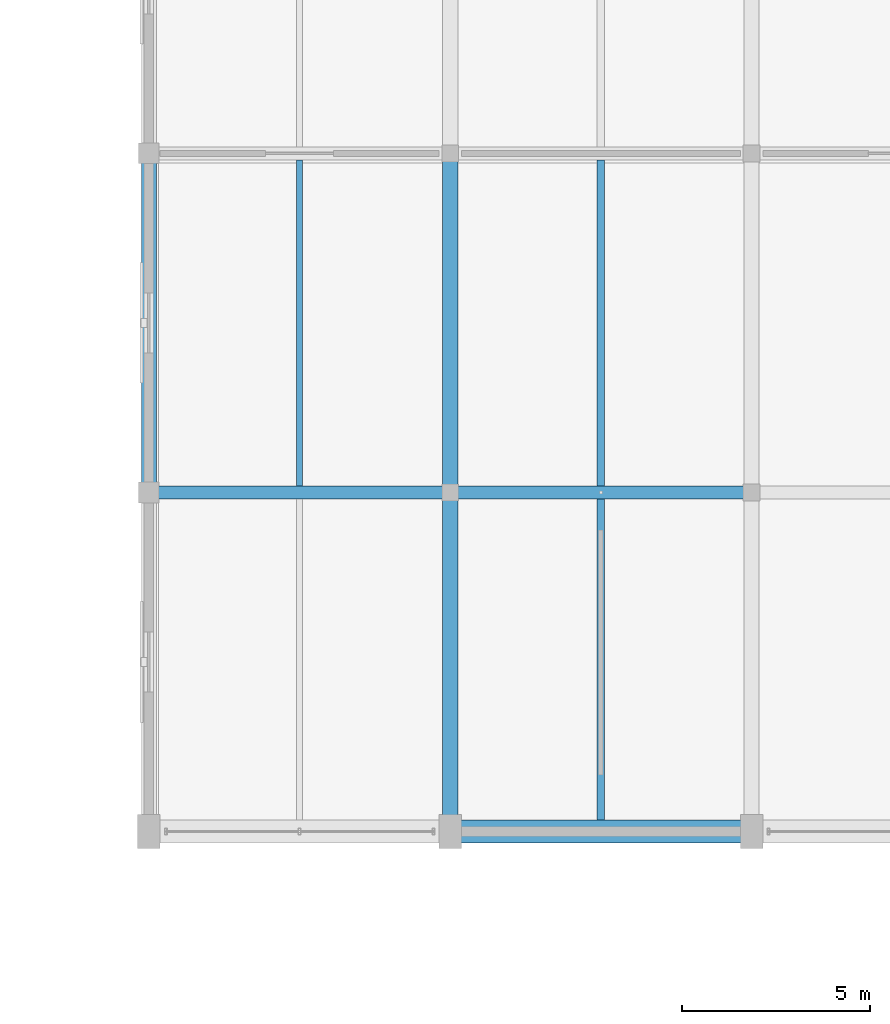
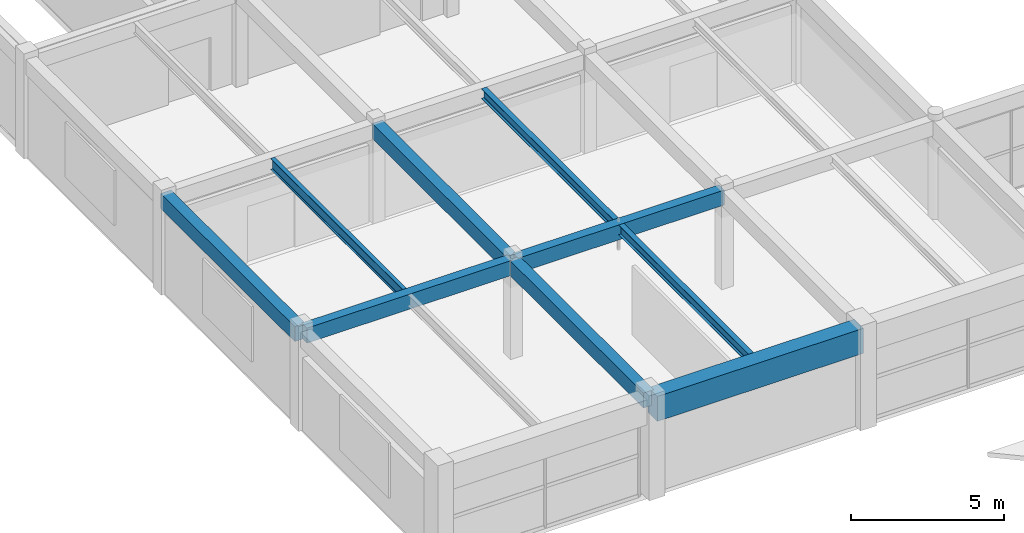
# One storey, part 40 of 126: 9 beams.
"""IFC4 building model written with IfcOpenShell, lengths in metres."""

import ifcopenshell
import ifcopenshell.guid

model = None  # the IFC model being written
_history = None  # IfcOwnerHistory: only IFC2X3 demands one
_inside = {}  # id of a spatial element -> (the spatial element, [elements in it])
_under = {}  # id of a project, library or spatial element -> (it, [spatial elements below it])
_declared = {}  # id of a project -> (the project, [libraries it declares])
_typed = {}  # id of a type object -> (the type object, [elements of that type])
_made_of = {}  # id of a material, layer set ... -> (it, [elements and type objects made of it])


def new_model(schema):
    """Start an empty IFC model of exactly this schema.

    Asked for "IFC4X3", IfcOpenShell would pick the latest addendum, in which some entities
    have other attributes; the version numbers below select the first issue.
    IFC2X3 requires an IfcOwnerHistory on every rooted entity: one is made here for all.
    """
    global model, _history
    if schema == "IFC4X3":
        model = ifcopenshell.file(schema_version=(4, 3, 0, 0))
    else:
        model = ifcopenshell.file(schema=schema)
    _inside.clear()
    _under.clear()
    _declared.clear()
    _typed.clear()
    _made_of.clear()
    _history = None
    if model.schema == "IFC2X3":
        org = make("IfcOrganization", Name="unknown")
        user = make(
            "IfcPersonAndOrganization",
            ThePerson=make("IfcPerson", FamilyName="unknown"),
            TheOrganization=org,
        )
        app = make(
            "IfcApplication",
            ApplicationDeveloper=org,
            Version="unknown",
            ApplicationFullName="unknown",
            ApplicationIdentifier="unknown",
        )
        _history = make(
            "IfcOwnerHistory",
            OwningUser=user,
            OwningApplication=app,
            ChangeAction="ADDED",
            CreationDate=0,
        )
    return model


def make(cls, **values):
    """One entity of the class cls with the attributes given. An attribute that is None is left unset."""
    return model.create_entity(
        cls, **{name: value for name, value in values.items() if value is not None}
    )


def rooted(cls, **values):
    """An entity with a GlobalId (a new one), such as an element, a storey or a relation."""
    return make(cls, GlobalId=ifcopenshell.guid.new(), OwnerHistory=_history, **values)


def si_unit(unit_type, name, prefix=None):
    """IfcSIUnit, for example si_unit("LENGTHUNIT", "METRE", prefix="MILLI")."""
    return make("IfcSIUnit", UnitType=unit_type, Prefix=prefix, Name=name)


def assignment(units):
    """IfcUnitAssignment: the units of a project."""
    return None if units is None else make("IfcUnitAssignment", Units=units)


def point(xyz):
    """IfcCartesianPoint."""
    return None if xyz is None else make("IfcCartesianPoint", Coordinates=xyz)


def direction(xyz):
    """IfcDirection."""
    return None if xyz is None else make("IfcDirection", DirectionRatios=xyz)


def frame(location, z_axis=None, x_axis=None):
    """IfcAxis2Placement3D, a coordinate frame: its origin and axes. An axis left out is left unset."""
    return make(
        "IfcAxis2Placement3D",
        Location=point(location),
        Axis=direction(z_axis),
        RefDirection=direction(x_axis),
    )


def frame_2d(location, x_axis=None):
    """IfcAxis2Placement2D, a coordinate frame in the plane: its origin and x axis."""
    return make(
        "IfcAxis2Placement2D", Location=point(location), RefDirection=direction(x_axis)
    )


def origin():
    """The frame at (0, 0, 0) with its axes left unset."""
    return frame((0.0, 0.0, 0.0))


def origin_2d():
    """The frame at (0, 0) in the plane with its x axis left unset."""
    return frame_2d((0.0, 0.0))


def place(relative_to, where):
    """IfcLocalPlacement: puts the frame where relative to a parent placement (None: the world)."""
    return make(
        "IfcLocalPlacement", PlacementRelTo=relative_to, RelativePlacement=where
    )


def context(
    kind, dimensions, precision=None, world=None, true_north=None, identifier=None
):
    """IfcGeometricRepresentationContext, for example the 3D "Model" context."""
    return make(
        "IfcGeometricRepresentationContext",
        ContextIdentifier=identifier,
        ContextType=kind,
        CoordinateSpaceDimension=dimensions,
        Precision=precision,
        WorldCoordinateSystem=world,
        TrueNorth=true_north,
    )


def subcontext(parent, identifier, kind, view, scale=None):
    """IfcGeometricRepresentationSubContext, for example "Body" below "Model"."""
    return make(
        "IfcGeometricRepresentationSubContext",
        ContextIdentifier=identifier,
        ContextType=kind,
        ParentContext=parent,
        TargetScale=scale,
        TargetView=view,
    )


def project(units=None, contexts=None):
    """IfcProject with its units and contexts."""
    return rooted(
        "IfcProject",
        Name="project",
        RepresentationContexts=contexts,
        UnitsInContext=assignment(units),
    )


def spatial(cls, under=None, at=None, **own):
    """A site, building, storey or space (cls), placed at a placement, below another one or the project."""
    s = rooted(cls, ObjectPlacement=at, **own)
    if under is not None:
        _under.setdefault(under.id(), (under, []))[1].append(s)
    return s


def profile(cls, at=None, kind="AREA", **sizes):
    """A parametric profile (cls). Its sizes go by their IFC names, for example OverallWidth=200.0."""
    return make(cls, ProfileType=kind, Position=at, **sizes)


def rectangle(**sizes):
    """IfcRectangleProfileDef."""
    return profile("IfcRectangleProfileDef", **sizes)


def i_section(**sizes):
    """IfcIShapeProfileDef."""
    return profile("IfcIShapeProfileDef", **sizes)


def extrude(swept, where, along, depth):
    """IfcExtrudedAreaSolid: the profile swept, set in the frame where, extruded along a direction by depth."""
    return make(
        "IfcExtrudedAreaSolid",
        SweptArea=swept,
        Position=where,
        ExtrudedDirection=direction(along),
        Depth=depth,
    )


def shape(context_of_items, identifier, shape_type, items):
    """IfcShapeRepresentation: the items that make up one representation, for example the "Body"."""
    return make(
        "IfcShapeRepresentation",
        ContextOfItems=context_of_items,
        RepresentationIdentifier=identifier,
        RepresentationType=shape_type,
        Items=items,
    )


def material(Name=None, Category=None):
    """IfcMaterial."""
    return make("IfcMaterial", Name=Name, Category=Category)


def material_profile(
    of_material, cross_section, Name=None, Category=None, Priority=None
):
    """IfcMaterialProfile: a cross section and its material."""
    return make(
        "IfcMaterialProfile",
        Name=Name,
        Material=of_material,
        Profile=cross_section,
        Priority=Priority,
        Category=Category,
    )


def profile_set(profiles, Name=None, composite=None):
    """IfcMaterialProfileSet."""
    return make(
        "IfcMaterialProfileSet",
        Name=Name,
        MaterialProfiles=profiles,
        CompositeProfile=composite,
    )


def made_of(thing, what):
    """Note that an element or type object is made of a material, layer set ...; save() writes the relation."""
    if what is not None:
        _made_of.setdefault(what.id(), (what, []))[1].append(thing)
    return thing


def type_object(cls, material=None, **own):
    """A type object (cls), such as IfcWallType, which elements share."""
    return made_of(rooted(cls, **own), material)


def element(
    cls,
    number,
    at=None,
    inside=None,
    cuts=None,
    type_object=None,
    material=None,
    context=None,
    identifier="Body",
    shape_type=None,
    held_by="IfcProductDefinitionShape",
    body=None,
    shapes=None,
    **own,
):
    """One element of the class cls, such as IfcWall. Its Tag is "e" and its number.

    at: its placement. inside: the storey or other place that contains it. cuts: it is an
    opening in that element (IfcRelVoidsElement). A single representation is given by context,
    identifier, shape_type and body (its items); several are given by shapes. held_by: the class
    of the entity that holds the representations. save() writes the other relations.
    """
    e = rooted(cls, Tag="e%d" % number, ObjectPlacement=at, **own)
    if body is not None:
        shapes = [shape(context, identifier, shape_type, body)]
    if shapes is not None:
        e.Representation = make(held_by, Representations=shapes)
    if inside is not None:
        _inside.setdefault(inside.id(), (inside, []))[1].append(e)
    if cuts is not None:
        rooted(
            "IfcRelVoidsElement", RelatingBuildingElement=cuts, RelatedOpeningElement=e
        )
    if type_object is not None:
        _typed.setdefault(type_object.id(), (type_object, []))[1].append(e)
    return made_of(e, material)


def aggregate(whole, parts):
    """IfcRelAggregates: a whole, such as a stair, and the parts it consists of."""
    return rooted("IfcRelAggregates", RelatingObject=whole, RelatedObjects=parts)


def save(model, path):
    """Write the relations noted so far, then the file.

    IfcRelAggregates (storeys below a building ...), IfcRelContainedInSpatialStructure (elements
    in a storey), IfcRelDefinesByType, IfcRelAssociatesMaterial and IfcRelDeclares: one each for
    every whole, place, type object, material and project.
    """
    for whole, parts in _under.values():
        aggregate(whole, parts)
    for where, things in _inside.values():
        rooted(
            "IfcRelContainedInSpatialStructure",
            RelatedElements=things,
            RelatingStructure=where,
        )
    for kind, things in _typed.values():
        rooted("IfcRelDefinesByType", RelatedObjects=things, RelatingType=kind)
    for what, things in _made_of.values():
        rooted("IfcRelAssociatesMaterial", RelatedObjects=things, RelatingMaterial=what)
    for by, libraries in _declared.values():
        rooted("IfcRelDeclares", RelatingContext=by, RelatedDefinitions=libraries)
    model.write(path)


model = new_model("IFC4")

# Units and contexts
model_context = context("Model", 3, precision=1e-05, world=origin(), true_north=direction((0.0, 1.0)))
body_context = subcontext(model_context, "Body", "Model", "MODEL_VIEW")
ifc_project = project(units=[si_unit("LENGTHUNIT", "METRE"), si_unit("AREAUNIT", "SQUARE_METRE"), si_unit("VOLUMEUNIT", "CUBIC_METRE"), si_unit("PLANEANGLEUNIT", "RADIAN"), si_unit("MASSUNIT", "GRAM", prefix="KILO")], contexts=[model_context])

# Site, building, storey
site_placement = place(None, origin())
site = spatial("IfcSite", under=ifc_project, at=site_placement, CompositionType="ELEMENT")
building_placement = place(site_placement, origin())
building = spatial("IfcBuilding", under=site, at=building_placement, Name="Varnabhumi Central Station", CompositionType="ELEMENT")
storey_placement = place(building_placement, frame((0.0, 0.0, 16.199951171875)))
storey = spatial("IfcBuildingStorey", under=building, at=storey_placement, Name="L03", CompositionType="ELEMENT", Elevation=16.199951171875)

# Beams
ifc_material_1 = material(Name="Structural steel E350", Category="steel")
ifc_material_profile_1 = material_profile(ifc_material_1, i_section(OverallWidth=0.14990234375, OverallDepth=0.449951171875, WebThickness=0.009521484375, FlangeThickness=0.017333984375, FilletRadius=0.014892578125, at=origin_2d()), Name="Structural steel E350", Category="steel")
ifc_profile_set_1 = profile_set([ifc_material_profile_1], Name="Structural steel E350")
beam_type_1 = type_object("IfcBeamType", Name="BM-JST-ISMB450", PredefinedType="JOIST", material=ifc_profile_set_1)
beam_1_placement = place(storey_placement, frame((28.0, 89.175048828125, 3.72509765625), z_axis=(0.0, 1.0, 0.0), x_axis=(-1.0, 0.0, 0.0)))
element("IfcBeam", 1, at=beam_1_placement, inside=storey, type_object=beam_type_1, Name="Secondary Joist L03-4/5:L-M", PredefinedType="JOIST", context=body_context, shape_type="SweptSolid", body=[
    extrude(i_section(OverallWidth=0.14990234375, OverallDepth=0.449951171875, WebThickness=0.009521484375, FlangeThickness=0.017333984375, FilletRadius=0.014892578125, at=origin_2d()), origin(), (0.0, 0.0, 1.0), 8.64990234375),
])
ifc_material_2 = material(Name="Concrete M40", Category="concrete")
ifc_material_profile_2 = material_profile(ifc_material_2, rectangle(XDim=0.35009765625, YDim=0.60009765625, at=origin_2d()), Name="Concrete M40", Category="concrete")
ifc_profile_set_2 = profile_set([ifc_material_profile_2], Name="Concrete M40")
beam_type_2 = type_object("IfcBeamType", Name="BM-RC-350x600", PredefinedType="BEAM", material=ifc_profile_set_2)
for number, where, z_axis, x_axis, name in (
    (2, (24.10009765625, 89.0, 3.650146484375), (1.0, 0.0, 0.0), (0.0, 1.0, 0.0), "Beam L03-L:4-5"),
    (3, (32.10009765625, 89.0, 3.650146484375), (1.0, 0.0, 0.0), (0.0, 1.0, 0.0), "Beam L03-L:5-6"),
):
    element("IfcBeam", number, at=place(storey_placement, frame(where, z_axis=z_axis, x_axis=x_axis)), inside=storey, type_object=beam_type_2, Name=name, PredefinedType="BEAM", context=body_context, shape_type="SweptSolid", body=[
        extrude(rectangle(XDim=0.35009765625, YDim=0.60009765625, at=origin_2d()), origin(), (0.0, 0.0, 1.0), 7.7998046875),
    ])
ifc_material_profile_3 = material_profile(ifc_material_2, rectangle(XDim=0.39990234375, YDim=0.60009765625, at=origin_2d()), Name="Concrete M40", Category="concrete")
ifc_profile_set_3 = profile_set([ifc_material_profile_3], Name="Concrete M40")
beam_type_3 = type_object("IfcBeamType", Name="BM-RC-400x600", PredefinedType="BEAM", material=ifc_profile_set_3)
for number, where, z_axis, x_axis, name in (
    (4, (32.0, 80.10009765625, 3.650146484375), (0.0, 1.0, 0.0), (-1.0, 0.0, 0.0), "Beam L03-5:K-L"),
    (5, (24.0, 89.10009765625, 3.650146484375), (0.0, 1.0, 0.0), (-1.0, 0.0, 0.0), "Beam L03-4:L-M"),
    (6, (32.0, 89.10009765625, 3.650146484375), (0.0, 1.0, 0.0), (-1.0, 0.0, 0.0), "Beam L03-5:L-M"),
):
    element("IfcBeam", number, at=place(storey_placement, frame(where, z_axis=z_axis, x_axis=x_axis)), inside=storey, type_object=beam_type_3, Name=name, PredefinedType="BEAM", context=body_context, shape_type="SweptSolid", body=[
        extrude(rectangle(XDim=0.39990234375, YDim=0.60009765625, at=origin_2d()), origin(), (0.0, 0.0, 1.0), 8.7998046875),
    ])
ifc_material_3 = material(Name="Concrete M50", Category="concrete")
ifc_material_profile_4 = material_profile(ifc_material_3, rectangle(XDim=0.60009765625, YDim=1.0, at=origin_2d()), Name="Concrete M50", Category="concrete")
ifc_profile_set_4 = profile_set([ifc_material_profile_4], Name="Concrete M50")
beam_type_4 = type_object("IfcBeamType", Name="BM-RC-600x1000", PredefinedType="BEAM", material=ifc_profile_set_4)
beam_2_placement = place(storey_placement, frame((32.10009765625, 80.0, 3.449951171875), z_axis=(1.0, 0.0, 0.0), x_axis=(0.0, 1.0, 0.0)))
element("IfcBeam", 7, at=beam_2_placement, inside=storey, type_object=beam_type_4, Name="Beam L03-K:5-6", PredefinedType="BEAM", context=body_context, shape_type="SweptSolid", body=[
    extrude(rectangle(XDim=0.60009765625, YDim=1.0, at=origin_2d()), origin(), (0.0, 0.0, 1.0), 7.7998046875),
])
ifc_material_profile_5 = material_profile(ifc_material_1, i_section(OverallWidth=0.199951171875, OverallDepth=0.39990234375, WebThickness=0.008544921875, FlangeThickness=0.012939453125, FilletRadius=0.012939453125, at=origin_2d()), Name="Structural steel E350", Category="steel")
ifc_profile_set_5 = profile_set([ifc_material_profile_5], Name="Structural steel E350")
beam_type_5 = type_object("IfcBeamType", Name="BM-SEC-ISWB400", PredefinedType="JOIST", material=ifc_profile_set_5)
beam_3_placement = place(storey_placement, frame((36.0, 80.300048828125, 3.75), z_axis=(0.0, 1.0, 0.0), x_axis=(-1.0, 0.0, 0.0)))
element("IfcBeam", 8, at=beam_3_placement, inside=storey, type_object=beam_type_5, Name="Secondary Joist L03-5/6:K-L", PredefinedType="JOIST", context=body_context, shape_type="SweptSolid", body=[
    extrude(i_section(OverallWidth=0.199951171875, OverallDepth=0.39990234375, WebThickness=0.008544921875, FlangeThickness=0.012939453125, FilletRadius=0.012939453125, at=origin_2d()), origin(), (0.0, 0.0, 1.0), 8.52490234375),
])
beam_4_placement = place(storey_placement, frame((36.0, 89.175048828125, 3.75), z_axis=(0.0, 1.0, 0.0), x_axis=(-1.0, 0.0, 0.0)))
element("IfcBeam", 9, at=beam_4_placement, inside=storey, type_object=beam_type_5, Name="Secondary Joist L03-5/6:L-M", PredefinedType="JOIST", context=body_context, shape_type="SweptSolid", body=[
    extrude(i_section(OverallWidth=0.199951171875, OverallDepth=0.39990234375, WebThickness=0.008544921875, FlangeThickness=0.012939453125, FilletRadius=0.012939453125, at=origin_2d()), origin(), (0.0, 0.0, 1.0), 8.64990234375),
])

save(model, "model.ifc")
